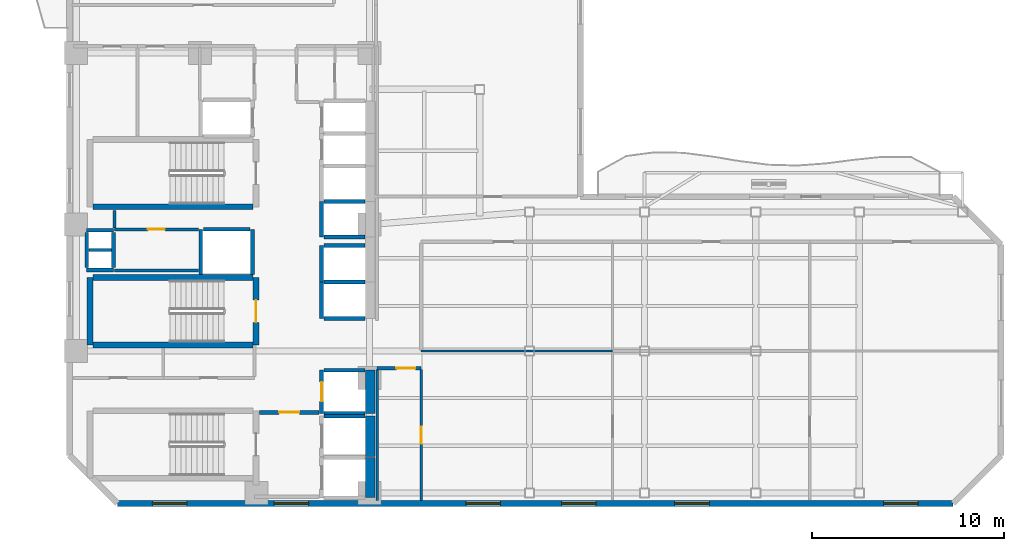
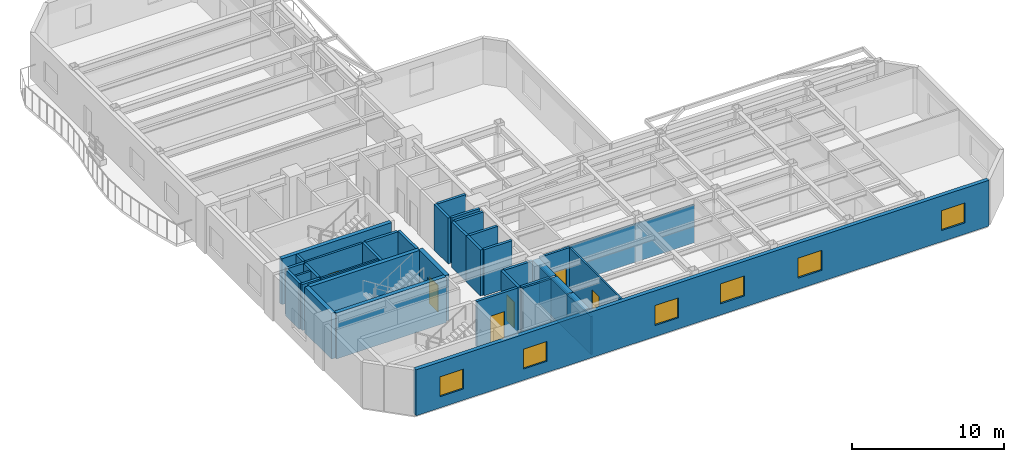
# One storey, part 3 of 9: 37 walls, 6 doors, 6 windows, 12 openings.
"""IFC4 building model written with IfcOpenShell, lengths in metres."""

from ifc_helpers import new_model, si_unit, direction, frame, frame_2d, origin, place, context, subcontext, project, spatial, rectangle, extrude, material, layer, layer_set, type_object, element, fill, save


model = new_model("IFC4")

# Units and contexts
model_context = context("Model", 3, precision=1e-05, world=origin(), true_north=direction((0.0, 1.0)))
body_context = subcontext(model_context, "Body", "Model", "MODEL_VIEW")
ifc_project = project(units=[si_unit("LENGTHUNIT", "METRE"), si_unit("AREAUNIT", "SQUARE_METRE"), si_unit("VOLUMEUNIT", "CUBIC_METRE"), si_unit("PLANEANGLEUNIT", "RADIAN"), si_unit("MASSUNIT", "GRAM", prefix="KILO")], contexts=[model_context])

# Site, building, storey
site_placement = place(None, origin())
site = spatial("IfcSite", under=ifc_project, at=site_placement, CompositionType="ELEMENT")
building_placement = place(site_placement, origin())
building = spatial("IfcBuilding", under=site, at=building_placement, Name="Mawjaban Terraces University", CompositionType="ELEMENT")
storey_placement = place(building_placement, frame((0.0, 0.0, 111.199951171875)))
storey = spatial("IfcBuildingStorey", under=building, at=storey_placement, Name="L26", CompositionType="ELEMENT", Elevation=111.199951171875)

# Walls
ifc_material_1 = material(Name="Concrete C60/75", Category="concrete")
ifc_layer_1 = layer(ifc_material_1, 0.5)
ifc_layer_set_1 = layer_set([ifc_layer_1], Name="Concrete C60/75")
wall_type_1 = type_object("IfcWallType", Name="CoreShearWall_500", PredefinedType="SHEAR", material=ifc_layer_set_1)
wall_1_placement = place(storey_placement, frame((37.699951171875, 0.300048828125, 0.0), z_axis=(0.0, 0.0, 1.0), x_axis=(0.0, 1.0, 0.0)))
element("IfcWall", 1, at=wall_1_placement, inside=storey, type_object=wall_type_1, Name="L26 Lift FL-1 Hoistway Wall East", PredefinedType="SHEAR", context=body_context, shape_type="SweptSolid", body=[
    extrude(rectangle(XDim=2.099853515625, YDim=0.5, at=frame_2d((1.0498046875, 0.0))), origin(), (0.0, 0.0, 1.0), 3.68994140625),
])
wall_2_placement = place(storey_placement, frame((37.699951171875, 2.449951171875, 0.0), z_axis=(0.0, 0.0, 1.0), x_axis=(0.0, 1.0, 0.0)))
element("IfcWall", 2, at=wall_2_placement, inside=storey, type_object=wall_type_1, Name="L26 Lift FL-2 Hoistway Wall East", PredefinedType="SHEAR", context=body_context, shape_type="SweptSolid", body=[
    extrude(rectangle(XDim=2.10009765625, YDim=0.5, at=frame_2d((1.050048828125, 0.0))), origin(), (0.0, 0.0, 1.0), 3.68994140625),
])
wall_3_placement = place(storey_placement, frame((37.699951171875, 4.699951171875, 0.0), z_axis=(0.0, 0.0, 1.0), x_axis=(0.0, 1.0, 0.0)))
element("IfcWall", 3, at=wall_3_placement, inside=storey, type_object=wall_type_1, Name="L26 Lift SL-1 Hoistway Wall East", PredefinedType="SHEAR", context=body_context, shape_type="SweptSolid", body=[
    extrude(rectangle(XDim=2.25, YDim=0.5, at=frame_2d((1.125, 0.0))), origin(), (0.0, 0.0, 1.0), 3.68994140625),
])

# Wall, opening, door
ifc_material_2 = material(Name="Fire-rated gypsum board on steel stud", Category="steel")
ifc_layer_2 = layer(ifc_material_2, 0.159912109375)
ifc_layer_set_2 = layer_set([ifc_layer_2], Name="Fire-rated gypsum board on steel stud")
wall_type_2 = type_object("IfcWallType", Name="CorridorPartition_160", PredefinedType="PARTITIONING", material=ifc_layer_set_2)
wall_4_placement = place(storey_placement, frame((24.35009765625, 14.300048828125, 0.0), z_axis=(0.0, 0.0, 1.0), x_axis=(1.0, 0.0, 0.0)))
wall_4 = element("IfcWall", 4, at=wall_4_placement, inside=storey, type_object=wall_type_2, Name="L26 Core Riser Access Passage Partition 2", PredefinedType="PARTITIONING", context=body_context, shape_type="SweptSolid", body=[
    extrude(rectangle(XDim=4.369873046875, YDim=0.159912109375, at=frame_2d((2.18505859375, 0.0))), origin(), (0.0, 0.0, 1.0), 3.68994140625),
])
opening_1_placement = place(wall_4_placement, frame((1.7451171875, 0.0, 0.0)))
opening_1 = element("IfcOpeningElement", 5, at=opening_1_placement, cuts=wall_4, Name="Opening ID-088", PredefinedType="OPENING", context=body_context, shape_type="SweptSolid", body=[
    extrude(rectangle(XDim=0.8798828125, YDim=2.10009765625, at=frame_2d((0.43994140625, 1.050048828125))), frame((0.0, 0.08984375, 0.0), z_axis=(0.0, -1.0, 0.0), x_axis=(1.0, 0.0, 0.0)), (0.0, 0.0, 1.0), 0.179931640625),
])
ifc_material_3 = material(Name="Powder-coated steel frame and solid acoustic timber leaf", Category="steel")
door_type_1 = type_object("IfcDoorType", Name="ToiletDoor_880x2100", OperationType="NOTDEFINED", PredefinedType="DOOR", material=ifc_material_3)
door_1_placement = place(opening_1_placement, origin())
door_1 = element("IfcDoor", 6, at=door_1_placement, inside=storey, type_object=door_type_1, Name="L26 Ablution Room Door", OperationType="SINGLE_SWING_LEFT", OverallHeight=2.10009765625, OverallWidth=0.8798828125, PredefinedType="DOOR", context=body_context, shape_type="SweptSolid", body=[
    extrude(rectangle(XDim=0.8798828125, YDim=2.10009765625, at=frame_2d((0.43994140625, 1.050048828125))), frame((0.0, 0.02490234375, 0.0), z_axis=(0.0, -1.0, 0.0), x_axis=(1.0, 0.0, 0.0)), (0.0, 0.0, 1.0), 0.050048828125),
])
fill(opening_1, door_1)

wall_5_placement = place(storey_placement, frame((38.050048828125, 7.050048828125, 0.0), z_axis=(0.0, 0.0, 1.0), x_axis=(1.0, 0.0, 0.0)))
wall_5 = element("IfcWall", 7, at=wall_5_placement, inside=storey, type_object=wall_type_2, Name="L26 Inner Gallery Link Corridor Partition 16", PredefinedType="PARTITIONING", context=body_context, shape_type="SweptSolid", body=[
    extrude(rectangle(XDim=2.300048828125, YDim=0.159912109375, at=frame_2d((1.14990234375, 0.0))), origin(), (0.0, 0.0, 1.0), 3.68994140625),
])
opening_2_placement = place(wall_5_placement, frame((1.0, 0.0, 0.0)))
opening_2 = element("IfcOpeningElement", 8, at=opening_2_placement, cuts=wall_5, Name="Opening ID-100", PredefinedType="OPENING", context=body_context, shape_type="SweptSolid", body=[
    extrude(rectangle(XDim=1.0, YDim=2.10009765625, at=frame_2d((0.5, 1.050048828125))), frame((0.0, 0.08984375, 0.0), z_axis=(0.0, -1.0, 0.0), x_axis=(1.0, 0.0, 0.0)), (0.0, 0.0, 1.0), 0.179931640625),
])
door_type_2 = type_object("IfcDoorType", Name="ClassroomDoor_1000x2100", OperationType="NOTDEFINED", PredefinedType="DOOR", material=ifc_material_3)
door_2_placement = place(opening_2_placement, origin())
door_2 = element("IfcDoor", 9, at=door_2_placement, inside=storey, type_object=door_type_2, Name="L26 Classroom 1 Door", OperationType="SINGLE_SWING_RIGHT", OverallHeight=2.10009765625, OverallWidth=1.0, PredefinedType="DOOR", context=body_context, shape_type="SweptSolid", body=[
    extrude(rectangle(XDim=1.0, YDim=2.10009765625, at=frame_2d((0.5, 1.050048828125))), frame((0.0, 0.02490234375, 0.0), z_axis=(0.0, -1.0, 0.0), x_axis=(1.0, 0.0, 0.0)), (0.0, 0.0, 1.0), 0.050048828125),
])
fill(opening_2, door_2)

# Wall
wall_6_placement = place(storey_placement, frame((24.35009765625, 15.2900390625, 0.0), z_axis=(0.0, 0.0, 1.0), x_axis=(0.0, -1.0, 0.0)))
element("IfcWall", 10, at=wall_6_placement, inside=storey, type_object=wall_type_2, Name="L26 Core Riser Access Passage Partition 25", PredefinedType="PARTITIONING", context=body_context, shape_type="SweptSolid", body=[
    extrude(rectangle(XDim=0.9150390625, YDim=0.159912109375, at=frame_2d((0.45751953125, 0.0))), origin(), (0.0, 0.0, 1.0), 3.68994140625),
])

# Wall, openings, windows
ifc_material_4 = material(Name="Insulated terracotta rainscreen on concrete backup C40/50", Category="masonry")
ifc_layer_3 = layer(ifc_material_4, 0.300048828125)
ifc_layer_set_3 = layer_set([ifc_layer_3], Name="Insulated terracotta rainscreen on concrete backup C40/50")
wall_type_3 = type_object("IfcWallType", Name="ExtTerracottaWall_300", PredefinedType="SOLIDWALL", material=ifc_layer_set_3)
wall_7_placement = place(storey_placement, frame((24.5, 0.0, 0.0), z_axis=(0.0, 0.0, 1.0), x_axis=(1.0, 0.0, 0.0)))
wall_7 = element("IfcWall", 11, at=wall_7_placement, inside=storey, type_object=wall_type_3, Name="L26 Exterior Terracotta Wall 1", PredefinedType="SOLIDWALL", context=body_context, shape_type="SweptSolid", body=[
    extrude(rectangle(XDim=43.60009765625, YDim=0.300048828125, at=frame_2d((21.800048828125, 0.0))), origin(), (0.0, 0.0, 1.0), 3.68994140625),
])
opening_3_placement = place(wall_7_placement, frame((1.824951171875, 0.0, 0.89990234375)))
opening_3 = element("IfcOpeningElement", 12, at=opening_3_placement, cuts=wall_7, Name="Opening W-03", PredefinedType="OPENING", context=body_context, shape_type="SweptSolid", body=[
    extrude(rectangle(XDim=1.800048828125, YDim=1.60009765625, at=frame_2d((0.89990234375, 0.800048828125))), frame((0.0, 0.159912109375, 0.0), z_axis=(0.0, -1.0, 0.0), x_axis=(1.0, 0.0, 0.0)), (0.0, 0.0, 1.0), 0.320068359375),
])
opening_4_placement = place(wall_7_placement, frame((8.175048828125, 0.0, 0.89990234375)))
opening_4 = element("IfcOpeningElement", 13, at=opening_4_placement, cuts=wall_7, Name="Opening W-03", PredefinedType="OPENING", context=body_context, shape_type="SweptSolid", body=[
    extrude(rectangle(XDim=1.800048828125, YDim=1.60009765625, at=frame_2d((0.89990234375, 0.800048828125))), frame((0.0, 0.159912109375, 0.0), z_axis=(0.0, -1.0, 0.0), x_axis=(1.0, 0.0, 0.0)), (0.0, 0.0, 1.0), 0.320068359375),
])
opening_5_placement = place(wall_7_placement, frame((18.175048828125, 0.0, 0.89990234375)))
opening_5 = element("IfcOpeningElement", 14, at=opening_5_placement, cuts=wall_7, Name="Opening W-03", PredefinedType="OPENING", context=body_context, shape_type="SweptSolid", body=[
    extrude(rectangle(XDim=1.800048828125, YDim=1.60009765625, at=frame_2d((0.89990234375, 0.800048828125))), frame((0.0, 0.159912109375, 0.0), z_axis=(0.0, -1.0, 0.0), x_axis=(1.0, 0.0, 0.0)), (0.0, 0.0, 1.0), 0.320068359375),
])
opening_6_placement = place(wall_7_placement, frame((23.175048828125, 0.0, 0.89990234375)))
opening_6 = element("IfcOpeningElement", 15, at=opening_6_placement, cuts=wall_7, Name="Opening W-03", PredefinedType="OPENING", context=body_context, shape_type="SweptSolid", body=[
    extrude(rectangle(XDim=1.800048828125, YDim=1.60009765625, at=frame_2d((0.89990234375, 0.800048828125))), frame((0.0, 0.159912109375, 0.0), z_axis=(0.0, -1.0, 0.0), x_axis=(1.0, 0.0, 0.0)), (0.0, 0.0, 1.0), 0.320068359375),
])
opening_7_placement = place(wall_7_placement, frame((29.074951171875, 0.0, 0.89990234375)))
opening_7 = element("IfcOpeningElement", 16, at=opening_7_placement, cuts=wall_7, Name="Opening W-03", PredefinedType="OPENING", context=body_context, shape_type="SweptSolid", body=[
    extrude(rectangle(XDim=1.800048828125, YDim=1.60009765625, at=frame_2d((0.89990234375, 0.800048828125))), frame((0.0, 0.159912109375, 0.0), z_axis=(0.0, -1.0, 0.0), x_axis=(1.0, 0.0, 0.0)), (0.0, 0.0, 1.0), 0.320068359375),
])
opening_8_placement = place(wall_7_placement, frame((39.97509765625, 0.0, 0.89990234375)))
opening_8 = element("IfcOpeningElement", 17, at=opening_8_placement, cuts=wall_7, Name="Opening W-03", PredefinedType="OPENING", context=body_context, shape_type="SweptSolid", body=[
    extrude(rectangle(XDim=1.800048828125, YDim=1.60009765625, at=frame_2d((0.89990234375, 0.800048828125))), frame((0.0, 0.159912109375, 0.0), z_axis=(0.0, -1.0, 0.0), x_axis=(1.0, 0.0, 0.0)), (0.0, 0.0, 1.0), 0.320068359375),
])
ifc_material_5 = material(Name="Low-E solar-control double glazing in thermally broken aluminium frame", Category="aluminium")
window_type = type_object("IfcWindowType", Name="Win_1800x1600", PartitioningType="SINGLE_PANEL", PredefinedType="WINDOW", material=ifc_material_5)
window_1_placement = place(opening_3_placement, origin())
window_1 = element("IfcWindow", 18, at=window_1_placement, inside=storey, type_object=window_type, Name="L26 Facade Window 1.1", OverallHeight=1.60009765625, OverallWidth=1.800048828125, PartitioningType="SINGLE_PANEL", PredefinedType="WINDOW", context=body_context, shape_type="SweptSolid", body=[
    extrude(rectangle(XDim=1.800048828125, YDim=1.60009765625, at=frame_2d((0.89990234375, 0.800048828125))), frame((0.0, 0.030029296875, 0.0), z_axis=(0.0, -1.0, 0.0), x_axis=(1.0, 0.0, 0.0)), (0.0, 0.0, 1.0), 0.06005859375),
])
fill(opening_3, window_1)
window_2_placement = place(opening_4_placement, origin())
window_2 = element("IfcWindow", 19, at=window_2_placement, inside=storey, type_object=window_type, Name="L26 Facade Window 1.2", OverallHeight=1.60009765625, OverallWidth=1.800048828125, PartitioningType="SINGLE_PANEL", PredefinedType="WINDOW", context=body_context, shape_type="SweptSolid", body=[
    extrude(rectangle(XDim=1.800048828125, YDim=1.60009765625, at=frame_2d((0.89990234375, 0.800048828125))), frame((0.0, 0.030029296875, 0.0), z_axis=(0.0, -1.0, 0.0), x_axis=(1.0, 0.0, 0.0)), (0.0, 0.0, 1.0), 0.06005859375),
])
fill(opening_4, window_2)
window_3_placement = place(opening_5_placement, origin())
window_3 = element("IfcWindow", 20, at=window_3_placement, inside=storey, type_object=window_type, Name="L26 Facade Window 1.4", OverallHeight=1.60009765625, OverallWidth=1.800048828125, PartitioningType="SINGLE_PANEL", PredefinedType="WINDOW", context=body_context, shape_type="SweptSolid", body=[
    extrude(rectangle(XDim=1.800048828125, YDim=1.60009765625, at=frame_2d((0.89990234375, 0.800048828125))), frame((0.0, 0.030029296875, 0.0), z_axis=(0.0, -1.0, 0.0), x_axis=(1.0, 0.0, 0.0)), (0.0, 0.0, 1.0), 0.06005859375),
])
fill(opening_5, window_3)
window_4_placement = place(opening_6_placement, origin())
window_4 = element("IfcWindow", 21, at=window_4_placement, inside=storey, type_object=window_type, Name="L26 Facade Window 1.5", OverallHeight=1.60009765625, OverallWidth=1.800048828125, PartitioningType="SINGLE_PANEL", PredefinedType="WINDOW", context=body_context, shape_type="SweptSolid", body=[
    extrude(rectangle(XDim=1.800048828125, YDim=1.60009765625, at=frame_2d((0.89990234375, 0.800048828125))), frame((0.0, 0.030029296875, 0.0), z_axis=(0.0, -1.0, 0.0), x_axis=(1.0, 0.0, 0.0)), (0.0, 0.0, 1.0), 0.06005859375),
])
fill(opening_6, window_4)
window_5_placement = place(opening_7_placement, origin())
window_5 = element("IfcWindow", 22, at=window_5_placement, inside=storey, type_object=window_type, Name="L26 Facade Window 1.6", OverallHeight=1.60009765625, OverallWidth=1.800048828125, PartitioningType="SINGLE_PANEL", PredefinedType="WINDOW", context=body_context, shape_type="SweptSolid", body=[
    extrude(rectangle(XDim=1.800048828125, YDim=1.60009765625, at=frame_2d((0.89990234375, 0.800048828125))), frame((0.0, 0.030029296875, 0.0), z_axis=(0.0, -1.0, 0.0), x_axis=(1.0, 0.0, 0.0)), (0.0, 0.0, 1.0), 0.06005859375),
])
fill(opening_7, window_5)
window_6_placement = place(opening_8_placement, origin())
window_6 = element("IfcWindow", 23, at=window_6_placement, inside=storey, type_object=window_type, Name="L26 Facade Window 1.8", OverallHeight=1.60009765625, OverallWidth=1.800048828125, PartitioningType="SINGLE_PANEL", PredefinedType="WINDOW", context=body_context, shape_type="SweptSolid", body=[
    extrude(rectangle(XDim=1.800048828125, YDim=1.60009765625, at=frame_2d((0.89990234375, 0.800048828125))), frame((0.0, 0.030029296875, 0.0), z_axis=(0.0, -1.0, 0.0), x_axis=(1.0, 0.0, 0.0)), (0.0, 0.0, 1.0), 0.06005859375),
])
fill(opening_8, window_6)

# Wall
ifc_material_6 = material(Name="Concrete C40/50", Category="concrete")
ifc_layer_4 = layer(ifc_material_6, 0.199951171875)
ifc_layer_set_4 = layer_set([ifc_layer_4], Name="Concrete C40/50")
wall_type_4 = type_object("IfcWallType", Name="FireLobbyWall_200", PredefinedType="SOLIDWALL", material=ifc_layer_set_4)
wall_8_placement = place(storey_placement, frame((37.419921875, 4.550048828125, 0.0), z_axis=(0.0, 0.0, 1.0), x_axis=(-1.0, 0.0, 0.0)))
element("IfcWall", 24, at=wall_8_placement, inside=storey, type_object=wall_type_4, Name="L26 Lift FL-2 Hoistway Wall North", PredefinedType="SOLIDWALL", context=body_context, shape_type="SweptSolid", body=[
    extrude(rectangle(XDim=2.139892578125, YDim=0.199951171875, at=frame_2d((1.06982421875, 0.0))), origin(), (0.0, 0.0, 1.0), 3.68994140625),
])

# Wall, opening, door
wall_9_placement = place(storey_placement, frame((35.14990234375, 6.949951171875, 0.0), z_axis=(0.0, 0.0, 1.0), x_axis=(0.0, -1.0, 0.0)))
wall_9 = element("IfcWall", 25, at=wall_9_placement, inside=storey, type_object=wall_type_4, Name="L26 Lift SL-1 Hoistway Wall West", PredefinedType="SOLIDWALL", context=body_context, shape_type="SweptSolid", body=[
    extrude(rectangle(XDim=2.25, YDim=0.199951171875, at=frame_2d((1.125, 0.0))), origin(), (0.0, 0.0, 1.0), 3.68994140625),
])
opening_9_placement = place(wall_9_placement, frame((0.625, 0.0, 0.0)))
opening_9 = element("IfcOpeningElement", 26, at=opening_9_placement, cuts=wall_9, Name="Opening LD-SL-1", PredefinedType="OPENING", context=body_context, shape_type="SweptSolid", body=[
    extrude(rectangle(XDim=1.0, YDim=2.10009765625, at=frame_2d((0.5, 1.050048828125))), frame((0.0, 0.10986328125, 0.0), z_axis=(0.0, -1.0, 0.0), x_axis=(1.0, 0.0, 0.0)), (0.0, 0.0, 1.0), 0.219970703125),
])
ifc_material_7 = material(Name="Powder-coated steel frame and fire-rated steel-faced leaf", Category="steel")
door_type_3 = type_object("IfcDoorType", Name="LiftLandingSliding_1000x2100", OperationType="NOTDEFINED", PredefinedType="DOOR", material=ifc_material_7)
door_3_placement = place(opening_9_placement, origin())
door_3 = element("IfcDoor", 27, at=door_3_placement, inside=storey, type_object=door_type_3, Name="L26 Lift SL-1 Sliding Landing Door", OperationType="DOUBLE_DOOR_SLIDING", OverallHeight=2.10009765625, OverallWidth=1.0, PredefinedType="DOOR", context=body_context, shape_type="SweptSolid", body=[
    extrude(rectangle(XDim=1.0, YDim=2.10009765625, at=frame_2d((0.5, 1.050048828125))), frame((0.0, 0.02490234375, 0.0), z_axis=(0.0, -1.0, 0.0), x_axis=(1.0, 0.0, 0.0)), (0.0, 0.0, 1.0), 0.050048828125),
])
fill(opening_9, door_3)

# Walls
for number, where, z_axis, x_axis, name in (
    (28, (35.280029296875, 4.699951171875, 0.0), (0.0, 0.0, 1.0), (1.0, 0.0, 0.0), "L26 Lift SL-1 Hoistway Wall South"),
    (29, (37.419921875, 6.949951171875, 0.0), (0.0, 0.0, 1.0), (-1.0, 0.0, 0.0), "L26 Lift SL-1 Hoistway Wall North"),
):
    element("IfcWall", number, at=place(storey_placement, frame(where, z_axis=z_axis, x_axis=x_axis)), inside=storey, type_object=wall_type_4, Name=name, PredefinedType="SOLIDWALL", context=body_context, shape_type="SweptSolid", body=[
        extrude(rectangle(XDim=2.139892578125, YDim=0.199951171875, at=frame_2d((1.06982421875, 0.0))), origin(), (0.0, 0.0, 1.0), 3.68994140625),
    ])
wall_10_placement = place(storey_placement, frame((35.14990234375, 11.550048828125, 0.0), z_axis=(0.0, 0.0, 1.0), x_axis=(0.0, -1.0, 0.0)))
element("IfcWall", 30, at=wall_10_placement, inside=storey, type_object=wall_type_4, Name="L26 Lift PL-H1 Hoistway Wall West", PredefinedType="SOLIDWALL", context=body_context, shape_type="SweptSolid", body=[
    extrude(rectangle(XDim=1.900146484375, YDim=0.199951171875, at=frame_2d((0.9501953125, 0.0))), origin(), (0.0, 0.0, 1.0), 3.68994140625),
])
for number, where, z_axis, x_axis, name in (
    (31, (35.280029296875, 9.64990234375, 0.0), (0.0, 0.0, 1.0), (1.0, 0.0, 0.0), "L26 Lift PL-H1 Hoistway Wall South"),
    (32, (37.419921875, 11.550048828125, 0.0), (0.0, 0.0, 1.0), (-1.0, 0.0, 0.0), "L26 Lift PL-H1 Hoistway Wall North"),
):
    element("IfcWall", number, at=place(storey_placement, frame(where, z_axis=z_axis, x_axis=x_axis)), inside=storey, type_object=wall_type_4, Name=name, PredefinedType="SOLIDWALL", context=body_context, shape_type="SweptSolid", body=[
        extrude(rectangle(XDim=2.139892578125, YDim=0.199951171875, at=frame_2d((1.06982421875, 0.0))), origin(), (0.0, 0.0, 1.0), 3.68994140625),
    ])
wall_11_placement = place(storey_placement, frame((35.14990234375, 13.449951171875, 0.0), z_axis=(0.0, 0.0, 1.0), x_axis=(0.0, -1.0, 0.0)))
element("IfcWall", 33, at=wall_11_placement, inside=storey, type_object=wall_type_4, Name="L26 Lift PL-H2 Hoistway Wall West", PredefinedType="SOLIDWALL", context=body_context, shape_type="SweptSolid", body=[
    extrude(rectangle(XDim=1.89990234375, YDim=0.199951171875, at=frame_2d((0.949951171875, 0.0))), origin(), (0.0, 0.0, 1.0), 3.68994140625),
])
wall_12_placement = place(storey_placement, frame((37.419921875, 13.449951171875, 0.0), z_axis=(0.0, 0.0, 1.0), x_axis=(-1.0, 0.0, 0.0)))
element("IfcWall", 34, at=wall_12_placement, inside=storey, type_object=wall_type_4, Name="L26 Lift PL-H2 Hoistway Wall North", PredefinedType="SOLIDWALL", context=body_context, shape_type="SweptSolid", body=[
    extrude(rectangle(XDim=2.139892578125, YDim=0.199951171875, at=frame_2d((1.06982421875, 0.0))), origin(), (0.0, 0.0, 1.0), 3.68994140625),
])
for number, where, z_axis, x_axis, name in (
    (35, (28.85009765625, 14.300048828125, 0.0), (0.0, 0.0, 1.0), (0.0, -1.0, 0.0), "L26 Lift PL-H3 Hoistway Wall West"),
    (36, (31.550048828125, 11.929931640625, 0.0), (0.0, 0.0, 1.0), (0.0, 1.0, 0.0), "L26 Lift PL-H3 Hoistway Wall East"),
):
    element("IfcWall", number, at=place(storey_placement, frame(where, z_axis=z_axis, x_axis=x_axis)), inside=storey, type_object=wall_type_4, Name=name, PredefinedType="SOLIDWALL", context=body_context, shape_type="SweptSolid", body=[
        extrude(rectangle(XDim=2.3701171875, YDim=0.199951171875, at=frame_2d((1.18505859375, 0.0))), origin(), (0.0, 0.0, 1.0), 3.68994140625),
    ])
wall_13_placement = place(storey_placement, frame((31.419921875, 14.300048828125, 0.0), z_axis=(0.0, 0.0, 1.0), x_axis=(-1.0, 0.0, 0.0)))
element("IfcWall", 37, at=wall_13_placement, inside=storey, type_object=wall_type_4, Name="L26 Lift PL-H3 Hoistway Wall North", PredefinedType="SOLIDWALL", context=body_context, shape_type="SweptSolid", body=[
    extrude(rectangle(XDim=2.43994140625, YDim=0.199951171875, at=frame_2d((1.219970703125, 0.0))), origin(), (0.0, 0.0, 1.0), 3.68994140625),
])
wall_14_placement = place(storey_placement, frame((35.14990234375, 15.75, 0.0), z_axis=(0.0, 0.0, 1.0), x_axis=(0.0, -1.0, 0.0)))
element("IfcWall", 38, at=wall_14_placement, inside=storey, type_object=wall_type_4, Name="L26 Lift OL-1 Hoistway Wall West", PredefinedType="SOLIDWALL", context=body_context, shape_type="SweptSolid", body=[
    extrude(rectangle(XDim=1.85009765625, YDim=0.199951171875, at=frame_2d((0.925048828125, 0.0))), origin(), (0.0, 0.0, 1.0), 3.68994140625),
])
for number, where, z_axis, x_axis, name in (
    (39, (35.280029296875, 13.89990234375, 0.0), (0.0, 0.0, 1.0), (1.0, 0.0, 0.0), "L26 Lift OL-1 Hoistway Wall South"),
    (40, (37.419921875, 15.75, 0.0), (0.0, 0.0, 1.0), (-1.0, 0.0, 0.0), "L26 Lift OL-1 Hoistway Wall North"),
):
    element("IfcWall", number, at=place(storey_placement, frame(where, z_axis=z_axis, x_axis=x_axis)), inside=storey, type_object=wall_type_4, Name=name, PredefinedType="SOLIDWALL", context=body_context, shape_type="SweptSolid", body=[
        extrude(rectangle(XDim=2.139892578125, YDim=0.199951171875, at=frame_2d((1.06982421875, 0.0))), origin(), (0.0, 0.0, 1.0), 3.68994140625),
    ])
for number, where, z_axis, x_axis, name in (
    (41, (22.89990234375, 14.25, 0.0), (0.0, 0.0, 1.0), (1.0, 0.0, 0.0), "L26 MEP Riser Shaft Wall N"),
    (42, (22.89990234375, 12.179931640625, 0.0), (0.0, 0.0, 1.0), (1.0, 0.0, 0.0), "L26 MEP Riser Shaft Wall S"),
):
    element("IfcWall", number, at=place(storey_placement, frame(where, z_axis=z_axis, x_axis=x_axis)), inside=storey, type_object=wall_type_4, Name=name, PredefinedType="SOLIDWALL", context=body_context, shape_type="SweptSolid", body=[
        extrude(rectangle(XDim=1.400146484375, YDim=0.199951171875, at=frame_2d((0.7001953125, 0.0))), origin(), (0.0, 0.0, 1.0), 3.68994140625),
    ])
for number, where, z_axis, x_axis, name in (
    (43, (24.300048828125, 12.300048828125, 0.0), (0.0, 0.0, 1.0), (0.0, 1.0, 0.0), "L26 MEP Riser Shaft Wall E"),
    (44, (22.89990234375, 12.300048828125, 0.0), (0.0, 0.0, 1.0), (0.0, 1.0, 0.0), "L26 MEP Riser Shaft Wall W"),
):
    element("IfcWall", number, at=place(storey_placement, frame(where, z_axis=z_axis, x_axis=x_axis)), inside=storey, type_object=wall_type_4, Name=name, PredefinedType="SOLIDWALL", context=body_context, shape_type="SweptSolid", body=[
        extrude(rectangle(XDim=1.829833984375, YDim=0.199951171875, at=frame_2d((0.9150390625, 0.0))), origin(), (0.0, 0.0, 1.0), 3.68994140625),
    ])

# Wall, opening, door
wall_15_placement = place(storey_placement, frame((35.02001953125, 4.75, 0.0), z_axis=(0.0, 0.0, 1.0), x_axis=(-1.0, 0.0, 0.0)))
wall_15 = element("IfcWall", 45, at=wall_15_placement, inside=storey, type_object=wall_type_4, Name="L26 Firefighting Lift Lobby Partition 9", PredefinedType="SOLIDWALL", context=body_context, shape_type="SweptSolid", body=[
    extrude(rectangle(XDim=3.110107421875, YDim=0.199951171875, at=frame_2d((1.55517578125, 0.0))), origin(), (0.0, 0.0, 1.0), 3.68994140625),
])
opening_10_placement = place(wall_15_placement, frame((1.030029296875, 0.0, 0.0)))
opening_10 = element("IfcOpeningElement", 46, at=opening_10_placement, cuts=wall_15, Name="Opening FD-105", PredefinedType="OPENING", context=body_context, shape_type="SweptSolid", body=[
    extrude(rectangle(XDim=1.050048828125, YDim=2.14990234375, at=frame_2d((0.52490234375, 1.074951171875))), frame((0.0, 0.10986328125, 0.0), z_axis=(0.0, -1.0, 0.0), x_axis=(1.0, 0.0, 0.0)), (0.0, 0.0, 1.0), 0.219970703125),
])
door_type_4 = type_object("IfcDoorType", Name="FireLobbyDoor_1050x2150", OperationType="NOTDEFINED", PredefinedType="DOOR", material=ifc_material_7)
door_4_placement = place(opening_10_placement, origin())
door_4 = element("IfcDoor", 47, at=door_4_placement, inside=storey, type_object=door_type_4, Name="L26 Firefighting Lift Lobby Door", OperationType="SINGLE_SWING_LEFT", OverallHeight=2.14990234375, OverallWidth=1.050048828125, PredefinedType="DOOR", context=body_context, shape_type="SweptSolid", body=[
    extrude(rectangle(XDim=1.050048828125, YDim=2.14990234375, at=frame_2d((0.52490234375, 1.074951171875))), frame((0.0, 0.02490234375, 0.0), z_axis=(0.0, -1.0, 0.0), x_axis=(1.0, 0.0, 0.0)), (0.0, 0.0, 1.0), 0.050048828125),
])
fill(opening_10, door_4)

# Walls
ifc_material_8 = material(Name="Moisture-resistant gypsum board on steel stud", Category="steel")
ifc_layer_5 = layer(ifc_material_8, 0.14501953125)
ifc_layer_set_5 = layer_set([ifc_layer_5], Name="Moisture-resistant gypsum board on steel stud")
wall_type_5 = type_object("IfcWallType", Name="LabPartition_145", PredefinedType="PARTITIONING", material=ifc_layer_set_5)
wall_16_placement = place(storey_placement, frame((23.010009765625, 13.22509765625, 0.0), z_axis=(0.0, 0.0, 1.0), x_axis=(1.0, 0.0, 0.0)))
element("IfcWall", 48, at=wall_16_placement, inside=storey, type_object=wall_type_5, Name="L26 MEP Riser Shaft Wall M", PredefinedType="PARTITIONING", context=body_context, shape_type="SweptSolid", body=[
    extrude(rectangle(XDim=1.179931640625, YDim=0.14501953125, at=frame_2d((0.58984375, 0.0))), origin(), (0.0, 0.0, 1.0), 3.68994140625),
])
ifc_material_9 = material(Name="Gypsum plasterboard on steel stud", Category="steel")
ifc_layer_6 = layer(ifc_material_9, 0.125)
ifc_layer_set_6 = layer_set([ifc_layer_6], Name="Gypsum plasterboard on steel stud")
wall_type_6 = type_object("IfcWallType", Name="OfficePartition_125", PredefinedType="PARTITIONING", material=ifc_layer_set_6)
wall_17_placement = place(storey_placement, frame((38.050048828125, 6.97509765625, 0.0), z_axis=(0.0, 0.0, 1.0), x_axis=(0.0, -1.0, 0.0)))
element("IfcWall", 49, at=wall_17_placement, inside=storey, type_object=wall_type_6, Name="L26 Classroom 1 Partition 39", PredefinedType="PARTITIONING", context=body_context, shape_type="SweptSolid", body=[
    extrude(rectangle(XDim=6.830078125, YDim=0.125, at=frame_2d((3.4150390625, 0.0))), origin(), (0.0, 0.0, 1.0), 3.073974609375),
])

# Wall, opening, door
wall_18_placement = place(storey_placement, frame((40.35009765625, 0.14501953125, 0.0), z_axis=(0.0, 0.0, 1.0), x_axis=(0.0, 1.0, 0.0)))
wall_18 = element("IfcWall", 50, at=wall_18_placement, inside=storey, type_object=wall_type_6, Name="L26 Classroom 1 Partition 42", PredefinedType="PARTITIONING", context=body_context, shape_type="SweptSolid", body=[
    extrude(rectangle(XDim=6.830078125, YDim=0.125, at=frame_2d((3.4150390625, 0.0))), origin(), (0.0, 0.0, 1.0), 3.68994140625),
])
opening_11_placement = place(wall_18_placement, frame((2.965087890625, 0.0, 0.0)))
opening_11 = element("IfcOpeningElement", 51, at=opening_11_placement, cuts=wall_18, Name="Opening ID-090", PredefinedType="OPENING", context=body_context, shape_type="SweptSolid", body=[
    extrude(rectangle(XDim=0.89990234375, YDim=2.10009765625, at=frame_2d((0.449951171875, 1.050048828125))), frame((0.0, 0.072509765625, 0.0), z_axis=(0.0, -1.0, 0.0), x_axis=(1.0, 0.0, 0.0)), (0.0, 0.0, 1.0), 0.14501953125),
])
door_type_5 = type_object("IfcDoorType", Name="OfficeDoor_900x2100", OperationType="NOTDEFINED", PredefinedType="DOOR", material=ifc_material_3)
door_5_placement = place(opening_11_placement, origin())
door_5 = element("IfcDoor", 52, at=door_5_placement, inside=storey, type_object=door_type_5, Name="L26 Seminar Room 2 Door", OperationType="SINGLE_SWING_LEFT", OverallHeight=2.10009765625, OverallWidth=0.89990234375, PredefinedType="DOOR", context=body_context, shape_type="SweptSolid", body=[
    extrude(rectangle(XDim=0.89990234375, YDim=2.10009765625, at=frame_2d((0.449951171875, 1.050048828125))), frame((0.0, 0.02490234375, 0.0), z_axis=(0.0, -1.0, 0.0), x_axis=(1.0, 0.0, 0.0)), (0.0, 0.0, 1.0), 0.050048828125),
])
fill(opening_11, door_5)

# Walls
ifc_material_10 = material(Name="Acoustic operable panel partition", Category="masonry")
ifc_layer_7 = layer(ifc_material_10, 0.110107421875)
ifc_layer_set_7 = layer_set([ifc_layer_7], Name="Acoustic operable panel partition")
wall_type_7 = type_object("IfcWallType", Name="OperableSeminarWall_110", PredefinedType="MOVABLE", material=ifc_layer_set_7)
wall_19_placement = place(storey_placement, frame((50.330078125, 7.949951171875, 0.0), z_axis=(0.0, 0.0, 1.0), x_axis=(-1.0, 0.0, 0.0)))
element("IfcWall", 53, at=wall_19_placement, inside=storey, type_object=wall_type_7, Name="L26 Seminar Room 2 Partition 20", PredefinedType="MOVABLE", context=body_context, shape_type="SweptSolid", body=[
    extrude(rectangle(XDim=9.97998046875, YDim=0.110107421875, at=frame_2d((4.989990234375, 0.0))), origin(), (0.0, 0.0, 1.0), 3.073974609375),
])
ifc_layer_8 = layer(ifc_material_1, 0.300048828125)
ifc_layer_set_8 = layer_set([ifc_layer_8], Name="Concrete C60/75")
wall_type_8 = type_object("IfcWallType", Name="StairShaftWall_300", PredefinedType="SHEAR", material=ifc_layer_set_8)
for number, where, z_axis, x_axis, name in (
    (54, (23.219970703125, 15.469970703125, 0.0), (0.0, 0.0, 1.0), (1.0, 0.0, 0.0), "L26 ST-2 Stair Shaft Wall 3"),
    (55, (31.580078125, 11.780029296875, 0.0), (0.0, 0.0, 1.0), (-1.0, 0.0, 0.0), "L26 ST-3 Stair Shaft Wall 1"),
):
    element("IfcWall", number, at=place(storey_placement, frame(where, z_axis=z_axis, x_axis=x_axis)), inside=storey, type_object=wall_type_8, Name=name, PredefinedType="SHEAR", context=body_context, shape_type="SweptSolid", body=[
        extrude(rectangle(XDim=8.360107421875, YDim=0.300048828125, at=frame_2d((4.18017578125, 0.0))), origin(), (0.0, 0.0, 1.0), 3.68994140625),
    ])
wall_20_placement = place(storey_placement, frame((23.070068359375, 11.780029296875, 0.0), z_axis=(0.0, 0.0, 1.0), x_axis=(0.0, -1.0, 0.0)))
element("IfcWall", 56, at=wall_20_placement, inside=storey, type_object=wall_type_8, Name="L26 ST-3 Stair Shaft Wall 2", PredefinedType="SHEAR", context=body_context, shape_type="SweptSolid", body=[
    extrude(rectangle(XDim=3.510009765625, YDim=0.300048828125, at=frame_2d((1.7548828125, 0.0))), origin(), (0.0, 0.0, 1.0), 3.68994140625),
])
wall_21_placement = place(storey_placement, frame((23.219970703125, 8.27001953125, 0.0), z_axis=(0.0, 0.0, 1.0), x_axis=(1.0, 0.0, 0.0)))
element("IfcWall", 57, at=wall_21_placement, inside=storey, type_object=wall_type_8, Name="L26 ST-3 Stair Shaft Wall 3", PredefinedType="SHEAR", context=body_context, shape_type="SweptSolid", body=[
    extrude(rectangle(XDim=8.360107421875, YDim=0.300048828125, at=frame_2d((4.18017578125, 0.0))), origin(), (0.0, 0.0, 1.0), 3.68994140625),
])

# Wall, opening, door
wall_22_placement = place(storey_placement, frame((31.72998046875, 8.27001953125, 0.0), z_axis=(0.0, 0.0, 1.0), x_axis=(0.0, 1.0, 0.0)))
wall_22 = element("IfcWall", 58, at=wall_22_placement, inside=storey, type_object=wall_type_8, Name="L26 ST-3 Stair Shaft Wall 4", PredefinedType="SHEAR", context=body_context, shape_type="SweptSolid", body=[
    extrude(rectangle(XDim=3.510009765625, YDim=0.300048828125, at=frame_2d((1.7548828125, 0.0))), origin(), (0.0, 0.0, 1.0), 3.68994140625),
])
opening_12_placement = place(wall_22_placement, frame((1.179931640625, 0.0, 0.0)))
opening_12 = element("IfcOpeningElement", 59, at=opening_12_placement, cuts=wall_22, Name="Opening FD-115", PredefinedType="OPENING", context=body_context, shape_type="SweptSolid", body=[
    extrude(rectangle(XDim=1.14990234375, YDim=2.14990234375, at=frame_2d((0.574951171875, 1.074951171875))), frame((0.0, 0.159912109375, 0.0), z_axis=(0.0, -1.0, 0.0), x_axis=(1.0, 0.0, 0.0)), (0.0, 0.0, 1.0), 0.320068359375),
])
door_type_6 = type_object("IfcDoorType", Name="FireStairDoor_1150x2150", OperationType="NOTDEFINED", PredefinedType="DOOR", material=ifc_material_7)
door_6_placement = place(opening_12_placement, origin())
door_6 = element("IfcDoor", 60, at=door_6_placement, inside=storey, type_object=door_type_6, Name="L26 ST-3 Pressurised Stair Fire Door", OperationType="SINGLE_SWING_RIGHT", OverallHeight=2.14990234375, OverallWidth=1.14990234375, PredefinedType="DOOR", context=body_context, shape_type="SweptSolid", body=[
    extrude(rectangle(XDim=1.14990234375, YDim=2.14990234375, at=frame_2d((0.574951171875, 1.074951171875))), frame((0.0, 0.02490234375, 0.0), z_axis=(0.0, -1.0, 0.0), x_axis=(1.0, 0.0, 0.0)), (0.0, 0.0, 1.0), 0.050048828125),
])
fill(opening_12, door_6)

# Wall
ifc_material_11 = material(Name="Cement-board wet-room partition", Category="masonry")
ifc_layer_9 = layer(ifc_material_11, 0.135009765625)
ifc_layer_set_9 = layer_set([ifc_layer_9], Name="Cement-board wet-room partition")
wall_type_9 = type_object("IfcWallType", Name="WetRoomPartition_135", PredefinedType="PARTITIONING", material=ifc_layer_set_9)
wall_23_placement = place(storey_placement, frame((24.35009765625, 12.14990234375, 0.0), z_axis=(0.0, 0.0, 1.0), x_axis=(1.0, 0.0, 0.0)))
element("IfcWall", 61, at=wall_23_placement, inside=storey, type_object=wall_type_9, Name="L26 Ablution Room Partition 1", PredefinedType="PARTITIONING", context=body_context, shape_type="SweptSolid", body=[
    extrude(rectangle(XDim=4.369873046875, YDim=0.135009765625, at=frame_2d((2.18505859375, 0.0))), origin(), (0.0, 0.0, 1.0), 3.68994140625),
])

save(model, "model.ifc")
